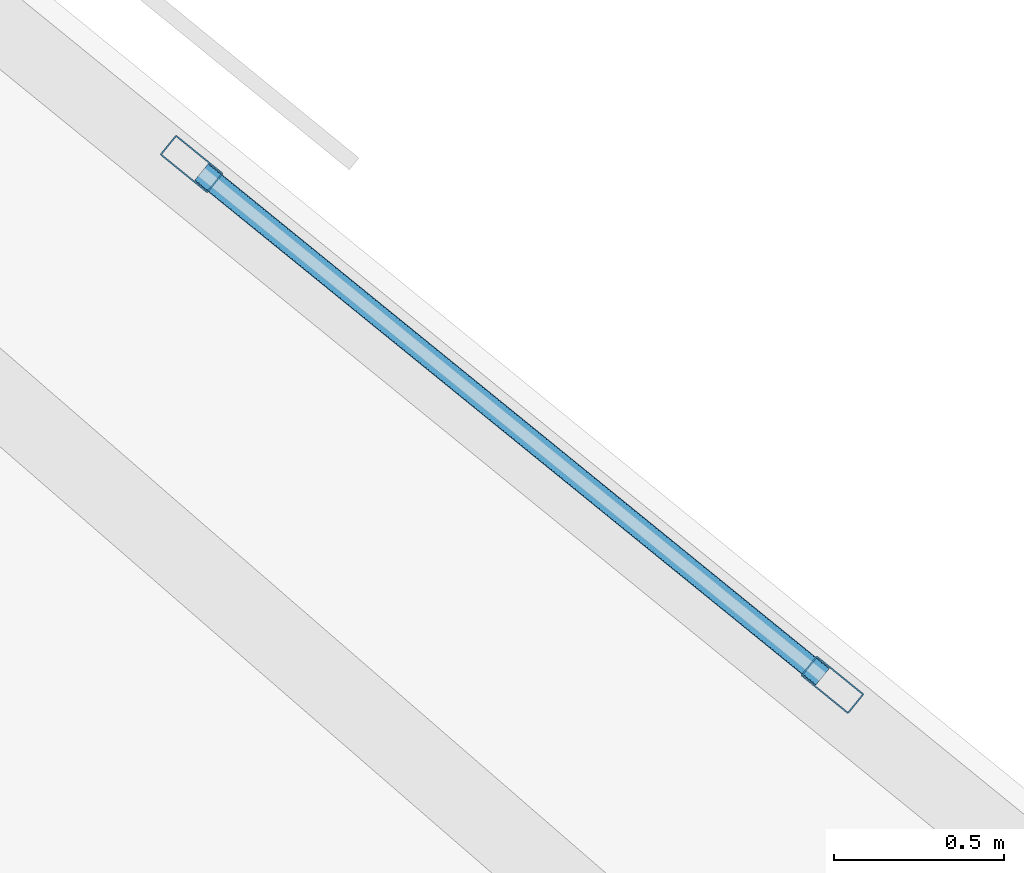
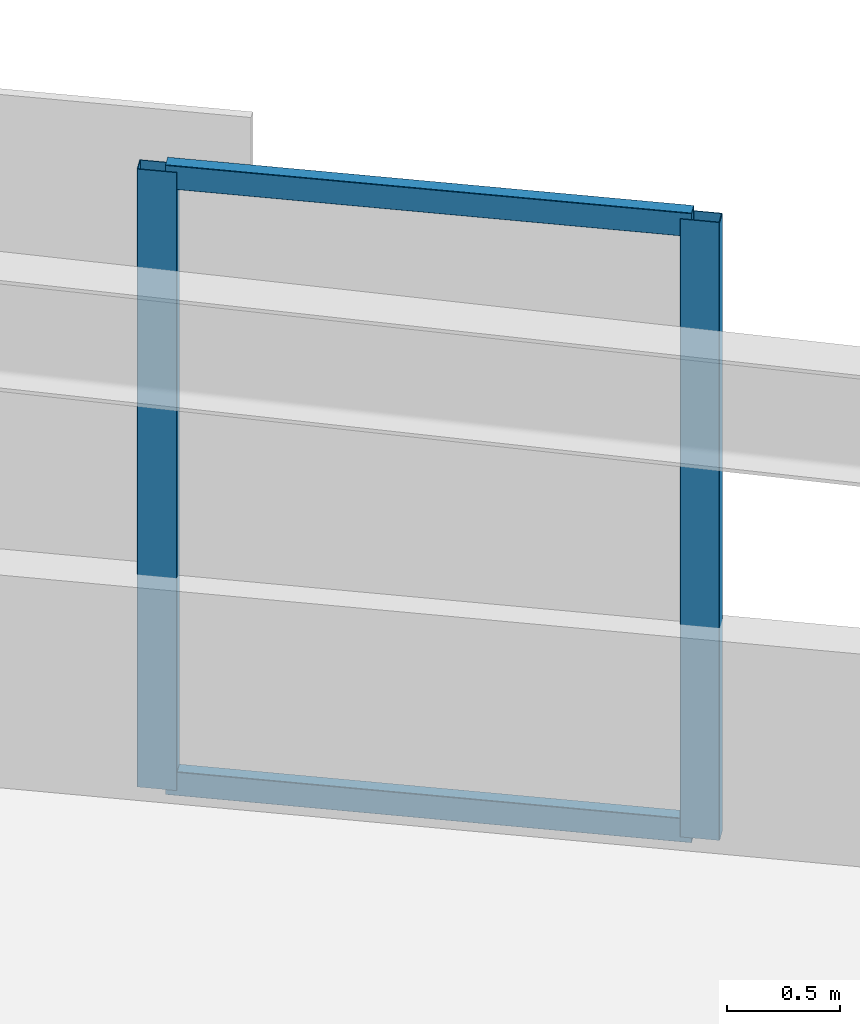
# One storey, part 2 of 18: 4 members, 1 element without a shape of its own.
"""IFC4 building model written with IfcOpenShell, lengths in metres."""

from ifc_helpers import new_model, si_unit, direction, frame, origin, origin_2d, place, context, subcontext, project, spatial, hollow_rectangle, extrude, material, material_profile, profile_set, type_object, element, aggregate, save


model = new_model("IFC4")

# Units and contexts
model_context = context("Model", 3, precision=1e-05, world=origin(), true_north=direction((0.0, 1.0)))
body_context = subcontext(model_context, "Body", "Model", "MODEL_VIEW")
ifc_project = project(units=[si_unit("LENGTHUNIT", "METRE"), si_unit("AREAUNIT", "SQUARE_METRE"), si_unit("VOLUMEUNIT", "CUBIC_METRE"), si_unit("PLANEANGLEUNIT", "RADIAN"), si_unit("MASSUNIT", "GRAM", prefix="KILO")], contexts=[model_context])

# Site, building, storey
site_placement = place(None, origin())
site = spatial("IfcSite", under=ifc_project, at=site_placement, CompositionType="ELEMENT")
building_placement = place(site_placement, origin())
building = spatial("IfcBuilding", under=site, at=building_placement, Name="Narakoshi Arena Tower", CompositionType="ELEMENT")
storey_placement = place(building_placement, frame((0.0, 0.0, 44.699951171875)))
storey = spatial("IfcBuildingStorey", under=building, at=storey_placement, Name="L11", CompositionType="ELEMENT", Elevation=44.699951171875)

# Curtain wall, members
ifc_material = material(Name="Anodised bronze aluminium 6063-T6", Category="aluminium")
curtain_wall_type = type_object("IfcCurtainWallType", Name="CW-HYP-LOW", PredefinedType="NOTDEFINED", material=ifc_material)
curtain_wall_placement = place(storey_placement, origin())
curtain_wall = element("IfcCurtainWall", 1, at=curtain_wall_placement, inside=storey, type_object=curtain_wall_type, Name="L11 Folded Hypotenuse Curtain Wall 2-1", PredefinedType="NOTDEFINED")
ifc_material_profile_1 = material_profile(ifc_material, hollow_rectangle(XDim=0.074951171875, YDim=0.179931640625, WallThickness=0.00390625, OuterFilletRadius=0.0048828125, at=origin_2d()), Name="MUL180x75x4")
ifc_profile_set_1 = profile_set([ifc_material_profile_1], Name="Anodised bronze aluminium 6063-T6")
member_type_1 = type_object("IfcMemberType", Name="MEM-MUL-180", PredefinedType="MULLION", material=ifc_profile_set_1)
member_1_placement = place(storey_placement, frame((93.34521484375, 59.196533203125, 0.0), z_axis=(0.0, 0.0, 1.0), x_axis=(-0.63072316495, -0.776007918256, 0.0)))
member_1 = element("IfcMember", 2, at=member_1_placement, type_object=member_type_1, Name="CW-01 mullion 1", PredefinedType="MULLION", context=body_context, shape_type="SweptSolid", body=[
    extrude(hollow_rectangle(XDim=0.074951171875, YDim=0.179931640625, WallThickness=0.00390625, OuterFilletRadius=0.0048828125, at=origin_2d()), origin(), (0.0, 0.0, 1.0), 3.340087890625),
])
member_2_placement = place(storey_placement, frame((91.45654296875, 60.731689453125, 0.0), z_axis=(0.0, 0.0, 1.0), x_axis=(-0.63072316495, -0.776007918256, 0.0)))
member_2 = element("IfcMember", 3, at=member_2_placement, type_object=member_type_1, Name="CW-01 mullion 2", PredefinedType="MULLION", context=body_context, shape_type="SweptSolid", body=[
    extrude(hollow_rectangle(XDim=0.074951171875, YDim=0.179931640625, WallThickness=0.00390625, OuterFilletRadius=0.0048828125, at=origin_2d()), origin(), (0.0, 0.0, 1.0), 3.340087890625),
])
ifc_material_profile_2 = material_profile(ifc_material, hollow_rectangle(XDim=0.06494140625, YDim=0.1298828125, WallThickness=0.00390625, OuterFilletRadius=0.0048828125, at=origin_2d()), Name="TRN130x65x4")
ifc_profile_set_2 = profile_set([ifc_material_profile_2], Name="Anodised bronze aluminium 6063-T6")
member_type_2 = type_object("IfcMemberType", Name="MEM-TRN-130", PredefinedType="USERDEFINED", material=ifc_profile_set_2)
member_3_placement = place(storey_placement, frame((93.316162109375, 59.22021484375, 0.032470703125), z_axis=(-0.776019017778, 0.630709508448, 0.0), x_axis=(-0.630709508448, -0.776019017778, 0.0)))
member_3 = element("IfcMember", 4, at=member_3_placement, type_object=member_type_2, Name="CW-01 transom 1.1", ObjectType="TRANSOM", PredefinedType="USERDEFINED", context=body_context, shape_type="SweptSolid", body=[
    extrude(hollow_rectangle(XDim=0.06494140625, YDim=0.1298828125, WallThickness=0.00390625, OuterFilletRadius=0.0048828125, at=origin_2d()), origin(), (0.0, 0.0, 1.0), 2.35888671875),
])
member_4_placement = place(storey_placement, frame((93.316162109375, 59.22021484375, 3.3076171875), z_axis=(-0.776019017778, 0.630709508448, 0.0), x_axis=(-0.630709508448, -0.776019017778, 0.0)))
member_4 = element("IfcMember", 5, at=member_4_placement, type_object=member_type_2, Name="CW-01 transom 1.2", ObjectType="TRANSOM", PredefinedType="USERDEFINED", context=body_context, shape_type="SweptSolid", body=[
    extrude(hollow_rectangle(XDim=0.06494140625, YDim=0.1298828125, WallThickness=0.00390625, OuterFilletRadius=0.0048828125, at=origin_2d()), origin(), (0.0, 0.0, 1.0), 2.35888671875),
])
aggregate(curtain_wall, [member_1, member_2, member_3, member_4])

save(model, "model.ifc")
